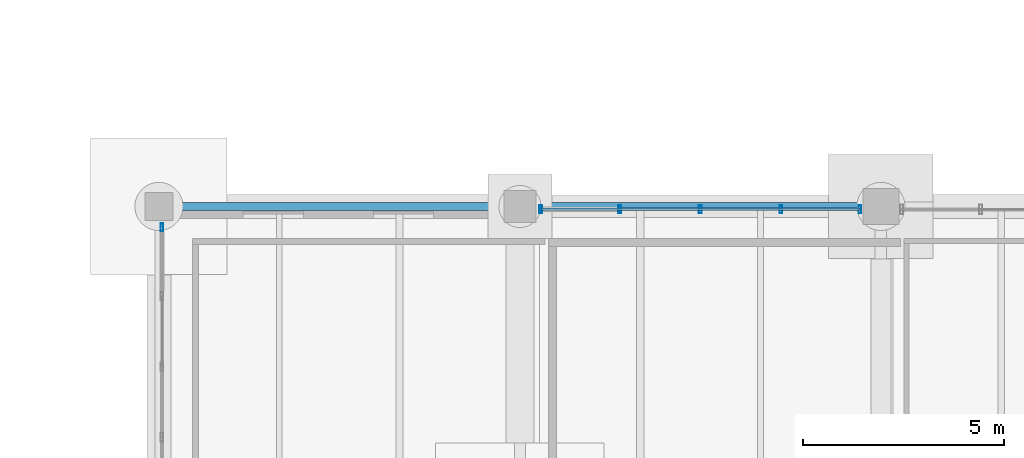
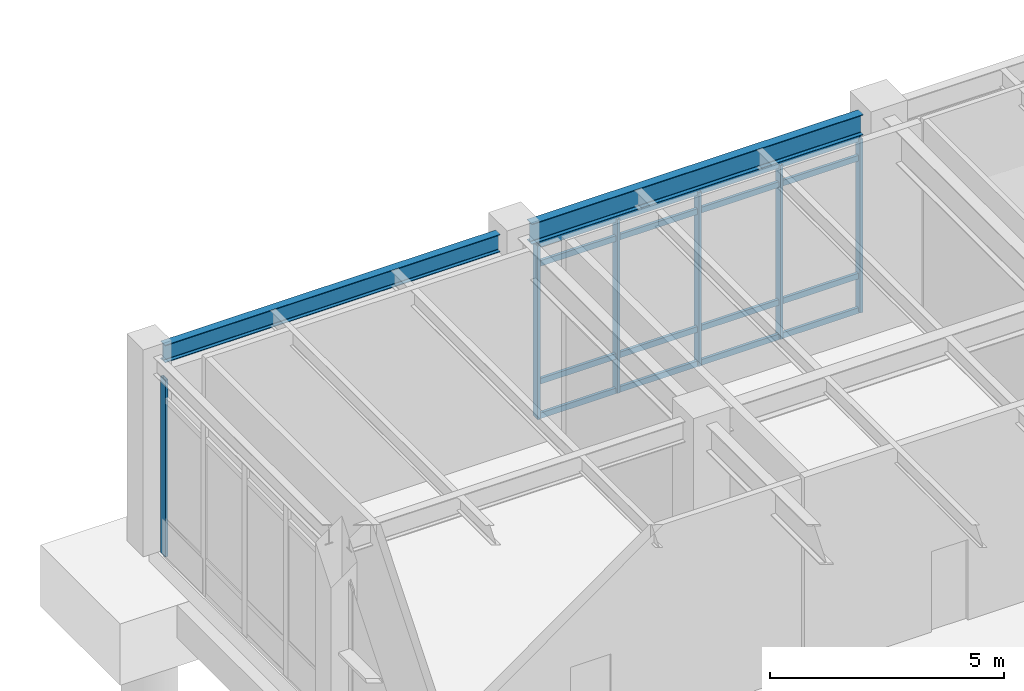
# One storey, part 144 of 203: 10 members, 2 beams, 2 elements without a shape of their own.
"""IFC4 building model written with IfcOpenShell, lengths in metres."""

from ifc_helpers import new_model, si_unit, direction, frame, origin, origin_2d, place, context, subcontext, project, spatial, hollow_rectangle, i_section, extrude, material, material_profile, profile_set, type_object, element, aggregate, save


model = new_model("IFC4")

# Units and contexts
model_context = context("Model", 3, precision=1e-05, world=origin(), true_north=direction((0.0, 1.0)))
body_context = subcontext(model_context, "Body", "Model", "MODEL_VIEW")
ifc_project = project(units=[si_unit("LENGTHUNIT", "METRE"), si_unit("AREAUNIT", "SQUARE_METRE"), si_unit("VOLUMEUNIT", "CUBIC_METRE"), si_unit("PLANEANGLEUNIT", "RADIAN"), si_unit("MASSUNIT", "GRAM", prefix="KILO"), si_unit("THERMODYNAMICTEMPERATUREUNIT", "KELVIN"), si_unit("POWERUNIT", "WATT")], contexts=[model_context])

# Site, building, storey
site_placement = place(None, origin())
site = spatial("IfcSite", under=ifc_project, at=site_placement, CompositionType="ELEMENT")
building_placement = place(site_placement, origin())
building = spatial("IfcBuilding", under=site, at=building_placement, Name="Tepalcoro Natatorium and Aquatics Centre", CompositionType="ELEMENT")
storey_placement = place(building_placement, origin())
storey = spatial("IfcBuildingStorey", under=building, at=storey_placement, Name="L00", CompositionType="ELEMENT", Elevation=0.0)

# Curtain wall, members
ifc_material_1 = material(Name="Bronze-Anodised Extruded Aluminium Alloy EN AW-6063 T6", Category="aluminium")
curtain_wall_type_1 = type_object("IfcCurtainWallType", Name="CW_LEAN_T1_EW", PredefinedType="USERDEFINED", material=ifc_material_1)
curtain_wall_1_placement = place(storey_placement, origin())
curtain_wall_1 = element("IfcCurtainWall", 1, at=curtain_wall_1_placement, inside=storey, type_object=curtain_wall_type_1, Name="V5 L00 N Unitised Curtain Wall Bay 2", ObjectType="FACETED SOLAR GLAZING", PredefinedType="USERDEFINED")
ifc_material_profile_1 = material_profile(ifc_material_1, hollow_rectangle(XDim=0.070068359375, YDim=0.199951171875, WallThickness=0.0048828125, at=origin_2d()), Name="AL70X200X5")
ifc_profile_set_1 = profile_set([ifc_material_profile_1], Name="Bronze-Anodised Extruded Aluminium Alloy EN AW-6063 T6")
member_type_1 = type_object("IfcMemberType", Name="CW_MUL_70x200", PredefinedType="MULLION", material=ifc_profile_set_1)
member_1_placement = place(storey_placement, frame((107.52001953125, 117.9287109375, 0.02001953125), z_axis=(0.0, 0.0, 1.0), x_axis=(1.0, 0.0, 0.0)))
member_1 = element("IfcMember", 2, at=member_1_placement, type_object=member_type_1, Name="CW_LEAN_T1_EW Curtain Wall Mullion", PredefinedType="MULLION", context=body_context, shape_type="SweptSolid", body=[
    extrude(hollow_rectangle(XDim=0.070068359375, YDim=0.199951171875, WallThickness=0.0048828125, at=origin_2d()), origin(), (0.0, 0.0, 1.0), 4.533935546875),
])
member_2_placement = place(storey_placement, frame((109.489990234375, 117.9287109375, 0.02001953125), z_axis=(0.0, 0.0, 1.0), x_axis=(1.0, 0.0, 0.0)))
member_2 = element("IfcMember", 3, at=member_2_placement, type_object=member_type_1, Name="CW_LEAN_T1_EW Curtain Wall Mullion", PredefinedType="MULLION", context=body_context, shape_type="SweptSolid", body=[
    extrude(hollow_rectangle(XDim=0.070068359375, YDim=0.199951171875, WallThickness=0.0048828125, at=origin_2d()), origin(), (0.0, 0.0, 1.0), 4.533935546875),
])
member_3_placement = place(storey_placement, frame((111.5, 117.9287109375, 0.02001953125), z_axis=(0.0, 0.0, 1.0), x_axis=(1.0, 0.0, 0.0)))
member_3 = element("IfcMember", 4, at=member_3_placement, type_object=member_type_1, Name="CW_LEAN_T1_EW Curtain Wall Mullion", PredefinedType="MULLION", context=body_context, shape_type="SweptSolid", body=[
    extrude(hollow_rectangle(XDim=0.070068359375, YDim=0.199951171875, WallThickness=0.0048828125, at=origin_2d()), origin(), (0.0, 0.0, 1.0), 4.533935546875),
])
member_4_placement = place(storey_placement, frame((113.510009765625, 117.9287109375, 0.02001953125), z_axis=(0.0, 0.0, 1.0), x_axis=(1.0, 0.0, 0.0)))
member_4 = element("IfcMember", 5, at=member_4_placement, type_object=member_type_1, Name="CW_LEAN_T1_EW Curtain Wall Mullion", PredefinedType="MULLION", context=body_context, shape_type="SweptSolid", body=[
    extrude(hollow_rectangle(XDim=0.070068359375, YDim=0.199951171875, WallThickness=0.0048828125, at=origin_2d()), origin(), (0.0, 0.0, 1.0), 4.533935546875),
])
member_5_placement = place(storey_placement, frame((115.47998046875, 117.9287109375, 0.02001953125), z_axis=(0.0, 0.0, 1.0), x_axis=(1.0, 0.0, 0.0)))
member_5 = element("IfcMember", 6, at=member_5_placement, type_object=member_type_1, Name="CW_LEAN_T1_EW Curtain Wall Mullion", PredefinedType="MULLION", context=body_context, shape_type="SweptSolid", body=[
    extrude(hollow_rectangle(XDim=0.070068359375, YDim=0.199951171875, WallThickness=0.0048828125, at=origin_2d()), origin(), (0.0, 0.0, 1.0), 4.533935546875),
])

# Curtain wall, member
curtain_wall_type_2 = type_object("IfcCurtainWallType", Name="CW_LEAN_T2_NS", PredefinedType="USERDEFINED", material=ifc_material_1)
curtain_wall_2_placement = place(storey_placement, origin())
curtain_wall_2 = element("IfcCurtainWall", 7, at=curtain_wall_2_placement, inside=storey, type_object=curtain_wall_type_2, Name="V5 L00 W Unitised Curtain Wall Bay 4", ObjectType="FACETED SOLAR GLAZING", PredefinedType="USERDEFINED")
member_6_placement = place(storey_placement, frame((98.076171875, 117.47998046875, 0.02001953125), z_axis=(0.0, 0.0, 1.0), x_axis=(1.0, 0.0, 0.0)))
member_6 = element("IfcMember", 8, at=member_6_placement, type_object=member_type_1, Name="CW_LEAN_T2_NS Curtain Wall Mullion", PredefinedType="MULLION", context=body_context, shape_type="SweptSolid", body=[
    extrude(hollow_rectangle(XDim=0.070068359375, YDim=0.199951171875, WallThickness=0.0048828125, at=origin_2d()), origin(), (0.0, 0.0, 1.0), 4.60986328125),
])
aggregate(curtain_wall_2, [member_6])

# Member
ifc_material_profile_2 = material_profile(ifc_material_1, hollow_rectangle(XDim=0.070068359375, YDim=0.14990234375, WallThickness=0.00390625, at=origin_2d()), Name="AL70X150X4")
ifc_profile_set_2 = profile_set([ifc_material_profile_2], Name="Bronze-Anodised Extruded Aluminium Alloy EN AW-6063 T6")
member_type_2 = type_object("IfcMemberType", Name="CW_TRN_70x150", PredefinedType="USERDEFINED", material=ifc_profile_set_2)
member_7_placement = place(storey_placement, frame((107.530029296875, 117.9287109375, 0.050048828125), z_axis=(1.0, 0.0, 0.0), x_axis=(0.0, 1.0, 0.0)))
member_7 = element("IfcMember", 9, at=member_7_placement, type_object=member_type_2, Name="CW_LEAN_T1_EW Curtain Wall Transom", ObjectType="TRANSOM", PredefinedType="USERDEFINED", context=body_context, shape_type="SweptSolid", body=[
    extrude(hollow_rectangle(XDim=0.070068359375, YDim=0.14990234375, WallThickness=0.00390625, at=origin_2d()), origin(), (0.0, 0.0, 1.0), 7.93994140625),
])

member_8_placement = place(storey_placement, frame((107.530029296875, 117.9287109375, 0.949951171875), z_axis=(1.0, 0.0, 0.0), x_axis=(0.0, 1.0, 0.0)))
member_8 = element("IfcMember", 10, at=member_8_placement, type_object=member_type_2, Name="CW_LEAN_T1_EW Curtain Wall Transom", ObjectType="TRANSOM", PredefinedType="USERDEFINED", context=body_context, shape_type="SweptSolid", body=[
    extrude(hollow_rectangle(XDim=0.070068359375, YDim=0.14990234375, WallThickness=0.00390625, at=origin_2d()), origin(), (0.0, 0.0, 1.0), 7.93994140625),
])

member_9_placement = place(storey_placement, frame((107.530029296875, 117.9287109375, 4.02392578125), z_axis=(1.0, 0.0, 0.0), x_axis=(0.0, 1.0, 0.0)))
member_9 = element("IfcMember", 11, at=member_9_placement, type_object=member_type_2, Name="CW_LEAN_T1_EW Curtain Wall Transom", ObjectType="TRANSOM", PredefinedType="USERDEFINED", context=body_context, shape_type="SweptSolid", body=[
    extrude(hollow_rectangle(XDim=0.070068359375, YDim=0.14990234375, WallThickness=0.00390625, at=origin_2d()), origin(), (0.0, 0.0, 1.0), 7.93994140625),
])

member_10_placement = place(storey_placement, frame((107.530029296875, 117.9287109375, 4.52392578125), z_axis=(1.0, 0.0, 0.0), x_axis=(0.0, 1.0, 0.0)))
member_10 = element("IfcMember", 12, at=member_10_placement, type_object=member_type_2, Name="CW_LEAN_T1_EW Curtain Wall Transom", ObjectType="TRANSOM", PredefinedType="USERDEFINED", context=body_context, shape_type="SweptSolid", body=[
    extrude(hollow_rectangle(XDim=0.070068359375, YDim=0.14990234375, WallThickness=0.00390625, at=origin_2d()), origin(), (0.0, 0.0, 1.0), 7.93994140625),
])

aggregate(curtain_wall_1, [member_1, member_2, member_3, member_4, member_5, member_7, member_8, member_9, member_10])

# Beams
ifc_material_2 = material(Name="Steel ASTM A992 Grade 50 (Fy 345 MPa)", Category="steel")
ifc_material_profile_3 = material_profile(ifc_material_2, i_section(OverallWidth=0.19091796875, OverallDepth=0.4599609375, WebThickness=0.010009765625, FlangeThickness=0.01611328125, FilletRadius=0.013916015625, at=origin_2d()), Name="W18X55")
ifc_profile_set_3 = profile_set([ifc_material_profile_3], Name="Steel ASTM A992 Grade 50 (Fy 345 MPa)")
beam_type_1 = type_object("IfcBeamType", Name="SP_W18x55", PredefinedType="SPANDREL", material=ifc_profile_set_3)
beam_1_placement = place(storey_placement, frame((98.3349609375, 118.0, 4.89501953125), z_axis=(1.0, 0.0, 0.0), x_axis=(0.0, 1.0, 0.0)))
element("IfcBeam", 13, at=beam_1_placement, inside=storey, type_object=beam_type_1, Name="V5 L00 Grid Girder X", PredefinedType="SPANDREL", context=body_context, shape_type="SweptSolid", body=[
    extrude(i_section(OverallWidth=0.19091796875, OverallDepth=0.4599609375, WebThickness=0.010009765625, FlangeThickness=0.01611328125, FilletRadius=0.013916015625, at=origin_2d()), origin(), (0.0, 0.0, 1.0), 8.280029296875),
])
ifc_material_profile_4 = material_profile(ifc_material_2, i_section(OverallWidth=0.2099609375, OverallDepth=0.535888671875, WebThickness=0.010986328125, FlangeThickness=0.01708984375, FilletRadius=0.013916015625, at=origin_2d()), Name="W21X68")
ifc_profile_set_4 = profile_set([ifc_material_profile_4], Name="Steel ASTM A992 Grade 50 (Fy 345 MPa)")
beam_type_2 = type_object("IfcBeamType", Name="SP_W21x68", PredefinedType="SPANDREL", material=ifc_profile_set_4)
beam_2_placement = place(storey_placement, frame((107.385009765625, 118.0, 4.85693359375), z_axis=(1.0, 0.0, 0.0), x_axis=(0.0, 1.0, 0.0)))
element("IfcBeam", 14, at=beam_2_placement, inside=storey, type_object=beam_type_2, Name="V5 L00 Grid Girder X", PredefinedType="SPANDREL", context=body_context, shape_type="SweptSolid", body=[
    extrude(i_section(OverallWidth=0.2099609375, OverallDepth=0.535888671875, WebThickness=0.010986328125, FlangeThickness=0.01708984375, FilletRadius=0.013916015625, at=origin_2d()), origin(), (0.0, 0.0, 1.0), 8.179931640625),
])

save(model, "model.ifc")
